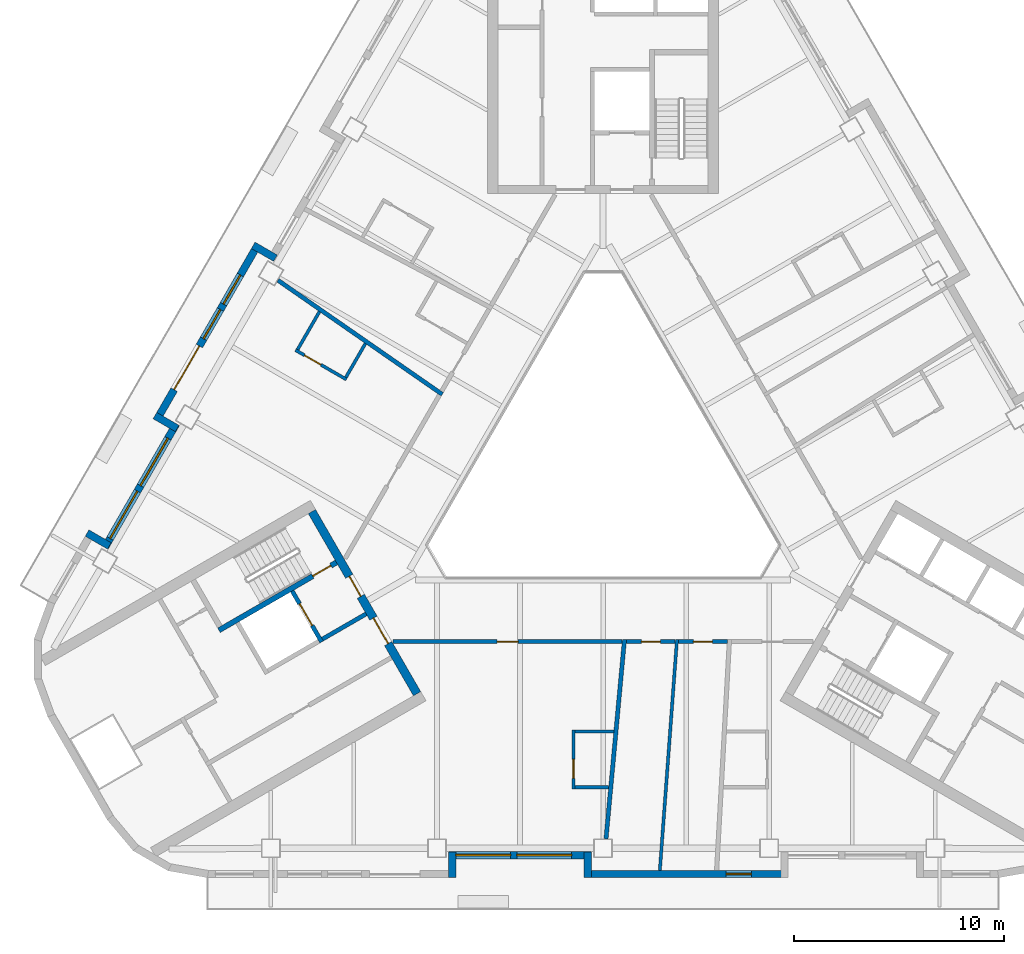
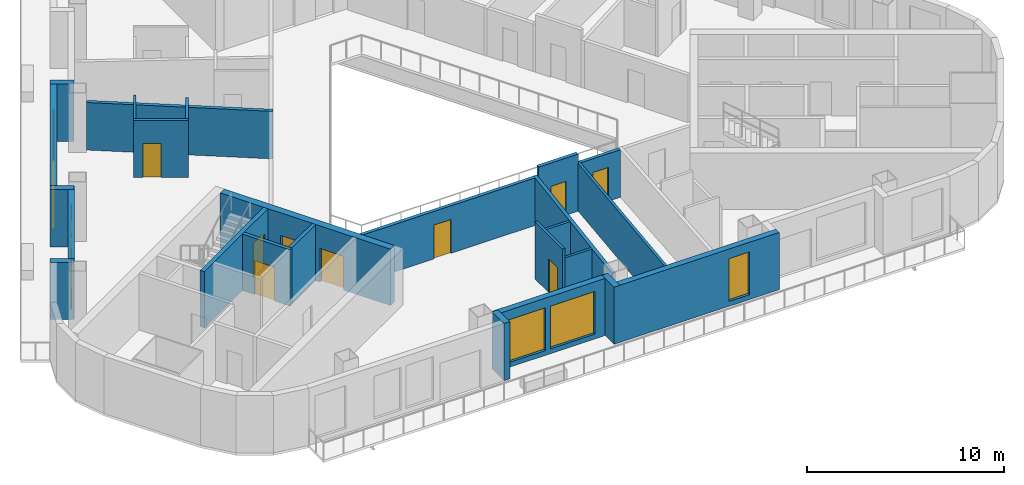
# One storey, part 3 of 13: 25 walls, 10 doors, 7 windows, 17 openings.
"""IFC4 building model written with IfcOpenShell, lengths in metres."""

import ifcopenshell
import ifcopenshell.guid

model = None  # the IFC model being written
_history = None  # IfcOwnerHistory: only IFC2X3 demands one
_inside = {}  # id of a spatial element -> (the spatial element, [elements in it])
_under = {}  # id of a project, library or spatial element -> (it, [spatial elements below it])
_declared = {}  # id of a project -> (the project, [libraries it declares])
_typed = {}  # id of a type object -> (the type object, [elements of that type])
_made_of = {}  # id of a material, layer set ... -> (it, [elements and type objects made of it])


def new_model(schema):
    """Start an empty IFC model of exactly this schema.

    Asked for "IFC4X3", IfcOpenShell would pick the latest addendum, in which some entities
    have other attributes; the version numbers below select the first issue.
    IFC2X3 requires an IfcOwnerHistory on every rooted entity: one is made here for all.
    """
    global model, _history
    if schema == "IFC4X3":
        model = ifcopenshell.file(schema_version=(4, 3, 0, 0))
    else:
        model = ifcopenshell.file(schema=schema)
    _inside.clear()
    _under.clear()
    _declared.clear()
    _typed.clear()
    _made_of.clear()
    _history = None
    if model.schema == "IFC2X3":
        org = make("IfcOrganization", Name="unknown")
        user = make(
            "IfcPersonAndOrganization",
            ThePerson=make("IfcPerson", FamilyName="unknown"),
            TheOrganization=org,
        )
        app = make(
            "IfcApplication",
            ApplicationDeveloper=org,
            Version="unknown",
            ApplicationFullName="unknown",
            ApplicationIdentifier="unknown",
        )
        _history = make(
            "IfcOwnerHistory",
            OwningUser=user,
            OwningApplication=app,
            ChangeAction="ADDED",
            CreationDate=0,
        )
    return model


def make(cls, **values):
    """One entity of the class cls with the attributes given. An attribute that is None is left unset."""
    return model.create_entity(
        cls, **{name: value for name, value in values.items() if value is not None}
    )


def rooted(cls, **values):
    """An entity with a GlobalId (a new one), such as an element, a storey or a relation."""
    return make(cls, GlobalId=ifcopenshell.guid.new(), OwnerHistory=_history, **values)


def si_unit(unit_type, name, prefix=None):
    """IfcSIUnit, for example si_unit("LENGTHUNIT", "METRE", prefix="MILLI")."""
    return make("IfcSIUnit", UnitType=unit_type, Prefix=prefix, Name=name)


def assignment(units):
    """IfcUnitAssignment: the units of a project."""
    return None if units is None else make("IfcUnitAssignment", Units=units)


def point(xyz):
    """IfcCartesianPoint."""
    return None if xyz is None else make("IfcCartesianPoint", Coordinates=xyz)


def direction(xyz):
    """IfcDirection."""
    return None if xyz is None else make("IfcDirection", DirectionRatios=xyz)


def frame(location, z_axis=None, x_axis=None):
    """IfcAxis2Placement3D, a coordinate frame: its origin and axes. An axis left out is left unset."""
    return make(
        "IfcAxis2Placement3D",
        Location=point(location),
        Axis=direction(z_axis),
        RefDirection=direction(x_axis),
    )


def frame_2d(location, x_axis=None):
    """IfcAxis2Placement2D, a coordinate frame in the plane: its origin and x axis."""
    return make(
        "IfcAxis2Placement2D", Location=point(location), RefDirection=direction(x_axis)
    )


def origin():
    """The frame at (0, 0, 0) with its axes left unset."""
    return frame((0.0, 0.0, 0.0))


def place(relative_to, where):
    """IfcLocalPlacement: puts the frame where relative to a parent placement (None: the world)."""
    return make(
        "IfcLocalPlacement", PlacementRelTo=relative_to, RelativePlacement=where
    )


def context(
    kind, dimensions, precision=None, world=None, true_north=None, identifier=None
):
    """IfcGeometricRepresentationContext, for example the 3D "Model" context."""
    return make(
        "IfcGeometricRepresentationContext",
        ContextIdentifier=identifier,
        ContextType=kind,
        CoordinateSpaceDimension=dimensions,
        Precision=precision,
        WorldCoordinateSystem=world,
        TrueNorth=true_north,
    )


def subcontext(parent, identifier, kind, view, scale=None):
    """IfcGeometricRepresentationSubContext, for example "Body" below "Model"."""
    return make(
        "IfcGeometricRepresentationSubContext",
        ContextIdentifier=identifier,
        ContextType=kind,
        ParentContext=parent,
        TargetScale=scale,
        TargetView=view,
    )


def project(units=None, contexts=None):
    """IfcProject with its units and contexts."""
    return rooted(
        "IfcProject",
        Name="project",
        RepresentationContexts=contexts,
        UnitsInContext=assignment(units),
    )


def spatial(cls, under=None, at=None, **own):
    """A site, building, storey or space (cls), placed at a placement, below another one or the project."""
    s = rooted(cls, ObjectPlacement=at, **own)
    if under is not None:
        _under.setdefault(under.id(), (under, []))[1].append(s)
    return s


def profile(cls, at=None, kind="AREA", **sizes):
    """A parametric profile (cls). Its sizes go by their IFC names, for example OverallWidth=200.0."""
    return make(cls, ProfileType=kind, Position=at, **sizes)


def rectangle(**sizes):
    """IfcRectangleProfileDef."""
    return profile("IfcRectangleProfileDef", **sizes)


def extrude(swept, where, along, depth):
    """IfcExtrudedAreaSolid: the profile swept, set in the frame where, extruded along a direction by depth."""
    return make(
        "IfcExtrudedAreaSolid",
        SweptArea=swept,
        Position=where,
        ExtrudedDirection=direction(along),
        Depth=depth,
    )


def shape(context_of_items, identifier, shape_type, items):
    """IfcShapeRepresentation: the items that make up one representation, for example the "Body"."""
    return make(
        "IfcShapeRepresentation",
        ContextOfItems=context_of_items,
        RepresentationIdentifier=identifier,
        RepresentationType=shape_type,
        Items=items,
    )


def material(Name=None, Category=None):
    """IfcMaterial."""
    return make("IfcMaterial", Name=Name, Category=Category)


def layer(
    of_material, thickness, ventilated=None, Name=None, Category=None, Priority=None
):
    """IfcMaterialLayer: one layer of a wall or slab, of a material (None: an air gap)."""
    return make(
        "IfcMaterialLayer",
        Material=of_material,
        LayerThickness=thickness,
        IsVentilated=ventilated,
        Name=Name,
        Category=Category,
        Priority=Priority,
    )


def layer_set(layers, Name=None):
    """IfcMaterialLayerSet."""
    return make("IfcMaterialLayerSet", MaterialLayers=layers, LayerSetName=Name)


def made_of(thing, what):
    """Note that an element or type object is made of a material, layer set ...; save() writes the relation."""
    if what is not None:
        _made_of.setdefault(what.id(), (what, []))[1].append(thing)
    return thing


def type_object(cls, material=None, **own):
    """A type object (cls), such as IfcWallType, which elements share."""
    return made_of(rooted(cls, **own), material)


def element(
    cls,
    number,
    at=None,
    inside=None,
    cuts=None,
    type_object=None,
    material=None,
    context=None,
    identifier="Body",
    shape_type=None,
    held_by="IfcProductDefinitionShape",
    body=None,
    shapes=None,
    **own,
):
    """One element of the class cls, such as IfcWall. Its Tag is "e" and its number.

    at: its placement. inside: the storey or other place that contains it. cuts: it is an
    opening in that element (IfcRelVoidsElement). A single representation is given by context,
    identifier, shape_type and body (its items); several are given by shapes. held_by: the class
    of the entity that holds the representations. save() writes the other relations.
    """
    e = rooted(cls, Tag="e%d" % number, ObjectPlacement=at, **own)
    if body is not None:
        shapes = [shape(context, identifier, shape_type, body)]
    if shapes is not None:
        e.Representation = make(held_by, Representations=shapes)
    if inside is not None:
        _inside.setdefault(inside.id(), (inside, []))[1].append(e)
    if cuts is not None:
        rooted(
            "IfcRelVoidsElement", RelatingBuildingElement=cuts, RelatedOpeningElement=e
        )
    if type_object is not None:
        _typed.setdefault(type_object.id(), (type_object, []))[1].append(e)
    return made_of(e, material)


def fill(opening, filler):
    """IfcRelFillsElement: the door or window that sits in an opening."""
    return rooted(
        "IfcRelFillsElement",
        RelatingOpeningElement=opening,
        RelatedBuildingElement=filler,
    )


def aggregate(whole, parts):
    """IfcRelAggregates: a whole, such as a stair, and the parts it consists of."""
    return rooted("IfcRelAggregates", RelatingObject=whole, RelatedObjects=parts)


def save(model, path):
    """Write the relations noted so far, then the file.

    IfcRelAggregates (storeys below a building ...), IfcRelContainedInSpatialStructure (elements
    in a storey), IfcRelDefinesByType, IfcRelAssociatesMaterial and IfcRelDeclares: one each for
    every whole, place, type object, material and project.
    """
    for whole, parts in _under.values():
        aggregate(whole, parts)
    for where, things in _inside.values():
        rooted(
            "IfcRelContainedInSpatialStructure",
            RelatedElements=things,
            RelatingStructure=where,
        )
    for kind, things in _typed.values():
        rooted("IfcRelDefinesByType", RelatedObjects=things, RelatingType=kind)
    for what, things in _made_of.values():
        rooted("IfcRelAssociatesMaterial", RelatedObjects=things, RelatingMaterial=what)
    for by, libraries in _declared.values():
        rooted("IfcRelDeclares", RelatingContext=by, RelatedDefinitions=libraries)
    model.write(path)


model = new_model("IFC4")

# Units and contexts
model_context = context("Model", 3, precision=1e-05, world=origin(), true_north=direction((0.0, 1.0)))
body_context = subcontext(model_context, "Body", "Model", "MODEL_VIEW")
ifc_project = project(units=[si_unit("LENGTHUNIT", "METRE"), si_unit("AREAUNIT", "SQUARE_METRE"), si_unit("VOLUMEUNIT", "CUBIC_METRE"), si_unit("PLANEANGLEUNIT", "RADIAN"), si_unit("MASSUNIT", "GRAM", prefix="KILO")], contexts=[model_context])

# Site, building, storey
site_placement = place(None, origin())
site = spatial("IfcSite", under=ifc_project, at=site_placement, CompositionType="ELEMENT")
building_placement = place(site_placement, origin())
building = spatial("IfcBuilding", under=site, at=building_placement, Name="Apuvela Tower Hotel", CompositionType="ELEMENT")
storey_placement = place(building_placement, frame((0.0, 0.0, 124.199951171875)))
storey = spatial("IfcBuildingStorey", under=building, at=storey_placement, Name="L29", CompositionType="ELEMENT", Elevation=124.199951171875)

# Wall, openings, doors
ifc_material_1 = material(Name="Concrete C50/60", Category="concrete")
ifc_layer_1 = layer(ifc_material_1, 0.39990234375)
ifc_layer_set_1 = layer_set([ifc_layer_1], Name="COR-WALL-CORE-400")
wall_type_1 = type_object("IfcWallType", Name="COR-WALL-CORE-400", PredefinedType="SHEAR", material=ifc_layer_set_1)
wall_1_placement = place(storey_placement, frame((-13.844970703125, -2.219970703125, 0.0), z_axis=(0.0, 0.0, 1.0), x_axis=(0.500004234368, -0.866022959057, 0.0)))
wall_1 = element("IfcWall", 1, at=wall_1_placement, inside=storey, type_object=wall_type_1, Name="Core wall SW", PredefinedType="SHEAR", context=body_context, shape_type="SweptSolid", body=[
    extrude(rectangle(XDim=10.0, YDim=0.39990234375, at=frame_2d((5.0, 0.0))), origin(), (0.0, 0.0, 1.0), 3.5),
])
opening_1_placement = place(wall_1_placement, frame((3.550048828125, 0.0, 0.0)))
opening_1 = element("IfcOpeningElement", 2, at=opening_1_placement, cuts=wall_1, Name="Opening W-FD", PredefinedType="OPENING", context=body_context, shape_type="SweptSolid", body=[
    extrude(rectangle(XDim=1.10009765625, YDim=2.10009765625, at=frame_2d((0.550048828125, 1.050048828125))), frame((0.0, 0.2099609375, 0.0), z_axis=(0.0, -1.0, 0.0), x_axis=(1.0, 0.0, 0.0)), (0.0, 0.0, 1.0), 0.419921875),
])
opening_2_placement = place(wall_1_placement, frame((5.85009765625, 0.0, 0.0)))
opening_2 = element("IfcOpeningElement", 3, at=opening_2_placement, cuts=wall_1, Name="Opening W-GD", PredefinedType="OPENING", context=body_context, shape_type="SweptSolid", body=[
    extrude(rectangle(XDim=1.39990234375, YDim=2.10009765625, at=frame_2d((0.699951171875, 1.050048828125))), frame((0.0, 0.2099609375, 0.0), z_axis=(0.0, -1.0, 0.0), x_axis=(1.0, 0.0, 0.0)), (0.0, 0.0, 1.0), 0.419921875),
])
ifc_material_2 = material(Name="Steel fire door, powder coated", Category="steel")
door_type_1 = type_object("IfcDoorType", Name="COR-FD-1100", OperationType="NOTDEFINED", PredefinedType="DOOR", material=ifc_material_2)
door_1_placement = place(opening_1_placement, frame((1.10009765625, 0.0, 0.0), z_axis=(0.0, 0.0, 1.0), x_axis=(-1.0, 0.0, 0.0)))
door_1 = element("IfcDoor", 4, at=door_1_placement, inside=storey, type_object=door_type_1, Name="Firefighting lobby door W-FD", OperationType="SINGLE_SWING_LEFT", OverallHeight=2.10009765625, OverallWidth=1.10009765625, PredefinedType="DOOR", context=body_context, shape_type="SweptSolid", body=[
    extrude(rectangle(XDim=1.10009765625, YDim=2.10009765625, at=frame_2d((0.550048828125, 1.050048828125))), frame((0.0, 0.02490234375, 0.0), z_axis=(0.0, -1.0, 0.0), x_axis=(1.0, 0.0, 0.0)), (0.0, 0.0, 1.0), 0.050048828125),
])
fill(opening_1, door_1)
ifc_material_3 = material(Name="Glazed steel fire door", Category="steel")
door_type_2 = type_object("IfcDoorType", Name="COR-GD-1400", OperationType="DOUBLE_DOOR_SINGLE_SWING", PredefinedType="DOOR", material=ifc_material_3)
door_2_placement = place(opening_2_placement, frame((1.39990234375, 0.0, 0.0), z_axis=(0.0, 0.0, 1.0), x_axis=(-1.0, 0.0, 0.0)))
door_2 = element("IfcDoor", 5, at=door_2_placement, inside=storey, type_object=door_type_2, Name="Lift lobby door W-GD", OperationType="DOUBLE_DOOR_SINGLE_SWING", OverallHeight=2.10009765625, OverallWidth=1.39990234375, PredefinedType="DOOR", context=body_context, shape_type="SweptSolid", body=[
    extrude(rectangle(XDim=1.39990234375, YDim=2.10009765625, at=frame_2d((0.699951171875, 1.050048828125))), frame((0.0, 0.02490234375, 0.0), z_axis=(0.0, -1.0, 0.0), x_axis=(1.0, 0.0, 0.0)), (0.0, 0.0, 1.0), 0.050048828125),
])
fill(opening_2, door_2)

# Wall, opening, door
ifc_layer_2 = layer(ifc_material_1, 0.199951171875)
ifc_layer_set_2 = layer_set([ifc_layer_2], Name="COR-WALL-SHAFT-200")
wall_type_2 = type_object("IfcWallType", Name="COR-WALL-SHAFT-200", PredefinedType="SHEAR", material=ifc_layer_set_2)
wall_2_placement = place(storey_placement, frame((-14.783203125, -5.99462890625, 0.0), z_axis=(0.0, 0.0, 1.0), x_axis=(0.49994636267, -0.866056369097, 0.0)))
wall_2 = element("IfcWall", 6, at=wall_2_placement, inside=storey, type_object=wall_type_2, Name="Shaft wall SW", PredefinedType="SHEAR", context=body_context, shape_type="SweptSolid", body=[
    extrude(rectangle(XDim=2.800048828125, YDim=0.199951171875, at=frame_2d((1.39990234375, 0.0))), origin(), (0.0, 0.0, 1.0), 3.5),
])
opening_3_placement = place(wall_2_placement, frame((0.699951171875, 0.0, 0.0)))
opening_3 = element("IfcOpeningElement", 7, at=opening_3_placement, cuts=wall_2, Name="Opening W-LD-FS2", PredefinedType="OPENING", context=body_context, shape_type="SweptSolid", body=[
    extrude(rectangle(XDim=1.199951171875, YDim=2.10009765625, at=frame_2d((0.60009765625, 1.050048828125))), frame((0.0, 0.10986328125, 0.0), z_axis=(0.0, -1.0, 0.0), x_axis=(1.0, 0.0, 0.0)), (0.0, 0.0, 1.0), 0.219970703125),
])
ifc_material_4 = material(Name="Stainless steel lift landing door", Category="steel")
door_type_3 = type_object("IfcDoorType", Name="COR-LD-1200", OperationType="DOUBLE_DOOR_SLIDING", PredefinedType="DOOR", material=ifc_material_4)
door_3_placement = place(opening_3_placement, origin())
door_3 = element("IfcDoor", 8, at=door_3_placement, inside=storey, type_object=door_type_3, Name="Lift landing door W-LD-FS2", OperationType="DOUBLE_DOOR_SLIDING", OverallHeight=2.10009765625, OverallWidth=1.199951171875, PredefinedType="DOOR", context=body_context, shape_type="SweptSolid", body=[
    extrude(rectangle(XDim=1.199951171875, YDim=2.10009765625, at=frame_2d((0.60009765625, 1.050048828125))), frame((0.0, 0.02490234375, 0.0), z_axis=(0.0, -1.0, 0.0), x_axis=(1.0, 0.0, 0.0)), (0.0, 0.0, 1.0), 0.050048828125),
])
fill(opening_3, door_3)

# Wall
wall_3_placement = place(storey_placement, frame((-11.26806640625, -7.0830078125, 0.0), z_axis=(0.0, 0.0, 1.0), x_axis=(-0.866050077142, -0.499957262057, 0.0)))
element("IfcWall", 9, at=wall_3_placement, inside=storey, type_object=wall_type_2, Name="Shaft wall SW", PredefinedType="SHEAR", context=body_context, shape_type="SweptSolid", body=[
    extrude(rectangle(XDim=2.400146484375, YDim=0.199951171875, at=frame_2d((1.2001953125, 0.0))), origin(), (0.0, 0.0, 1.0), 3.5),
])

# Wall, opening, door
ifc_layer_3 = layer(ifc_material_1, 0.25)
ifc_layer_set_3 = layer_set([ifc_layer_3], Name="COR-WALL-STAIR-250")
wall_type_3 = type_object("IfcWallType", Name="COR-WALL-STAIR-250", PredefinedType="SHEAR", material=ifc_layer_set_3)
wall_4_placement = place(storey_placement, frame((-12.6806640625, -4.636474609375, 0.0), z_axis=(0.0, 0.0, 1.0), x_axis=(-0.866021702275, -0.500006411147, 0.0)))
wall_4 = element("IfcWall", 10, at=wall_4_placement, inside=storey, type_object=wall_type_3, Name="Stair wall SW", PredefinedType="SHEAR", context=body_context, shape_type="SweptSolid", body=[
    extrude(rectangle(XDim=6.4501953125, YDim=0.25, at=frame_2d((3.22509765625, 0.0))), origin(), (0.0, 0.0, 1.0), 3.5),
])
opening_4_placement = place(wall_4_placement, frame((0.300048828125, 0.0, 0.0)))
opening_4 = element("IfcOpeningElement", 11, at=opening_4_placement, cuts=wall_4, Name="Opening W-SD", PredefinedType="OPENING", context=body_context, shape_type="SweptSolid", body=[
    extrude(rectangle(XDim=1.0, YDim=2.10009765625, at=frame_2d((0.5, 1.050048828125))), frame((0.0, 0.135009765625, 0.0), z_axis=(0.0, -1.0, 0.0), x_axis=(1.0, 0.0, 0.0)), (0.0, 0.0, 1.0), 0.27001953125),
])
door_type_4 = type_object("IfcDoorType", Name="COR-SD-1000", OperationType="NOTDEFINED", PredefinedType="DOOR", material=ifc_material_2)
door_4_placement = place(opening_4_placement, frame((1.0, 0.0, 0.0), z_axis=(0.0, 0.0, 1.0), x_axis=(-1.0, 0.0, 0.0)))
door_4 = element("IfcDoor", 12, at=door_4_placement, inside=storey, type_object=door_type_4, Name="Stair door W-SD", OperationType="SINGLE_SWING_LEFT", OverallHeight=2.10009765625, OverallWidth=1.0, PredefinedType="DOOR", context=body_context, shape_type="SweptSolid", body=[
    extrude(rectangle(XDim=1.0, YDim=2.10009765625, at=frame_2d((0.5, 1.050048828125))), frame((0.0, 0.02490234375, 0.0), z_axis=(0.0, -1.0, 0.0), x_axis=(1.0, 0.0, 0.0)), (0.0, 0.0, 1.0), 0.050048828125),
])
fill(opening_4, door_4)

# Wall
ifc_material_5 = material(Name="Concrete C40/50, dark pigmented precast panel", Category="concrete")
ifc_layer_4 = layer(ifc_material_5, 0.35009765625)
ifc_layer_set_4 = layer_set([ifc_layer_4], Name="ENV-WALL-350")
wall_type_4 = type_object("IfcWallType", Name="ENV-WALL-350", PredefinedType="SOLIDWALL", material=ifc_layer_set_4)
wall_5_placement = place(storey_placement, frame((-15.580810546875, 9.8330078125, 0.0), z_axis=(0.0, 0.0, 1.0), x_axis=(-0.866055662726, 0.499947586314, 0.0)))
element("IfcWall", 13, at=wall_5_placement, inside=storey, type_object=wall_type_4, Name="External wall L29-04", PredefinedType="SOLIDWALL", context=body_context, shape_type="SweptSolid", body=[
    extrude(rectangle(XDim=1.220458984375, YDim=0.35009765625, at=frame_2d((0.6103515625, 0.0))), origin(), (0.0, 0.0, 1.0), 3.550048828125),
])

# Wall, openings, door, windows
wall_6_placement = place(storey_placement, frame((-16.3984375, 10.507080078125, 0.0), z_axis=(0.0, 0.0, 1.0), x_axis=(-0.499999142773, -0.866025898704, 0.0)))
wall_6 = element("IfcWall", 14, at=wall_6_placement, inside=storey, type_object=wall_type_4, Name="External wall L29-05", PredefinedType="SOLIDWALL", context=body_context, shape_type="SweptSolid", body=[
    extrude(rectangle(XDim=9.7001953125, YDim=0.35009765625, at=frame_2d((4.85009765625, 0.0))), origin(), (0.0, 0.0, 1.0), 3.550048828125),
])
opening_5_placement = place(wall_6_placement, frame((5.599853515625, 0.0, 0.0)))
opening_5 = element("IfcOpeningElement", 15, at=opening_5_placement, cuts=wall_6, Name="Opening BD24", PredefinedType="OPENING", context=body_context, shape_type="SweptSolid", body=[
    extrude(rectangle(XDim=2.39990234375, YDim=2.39990234375, at=frame_2d((1.199951171875, 1.199951171875))), frame((0.0, 0.18505859375, 0.0), z_axis=(0.0, -1.0, 0.0), x_axis=(1.0, 0.0, 0.0)), (0.0, 0.0, 1.0), 0.3701171875),
])
opening_6_placement = place(wall_6_placement, frame((1.7001953125, 0.0, 0.300048828125)))
opening_6 = element("IfcOpeningElement", 16, at=opening_6_placement, cuts=wall_6, Name="Opening WN16", PredefinedType="OPENING", context=body_context, shape_type="SweptSolid", body=[
    extrude(rectangle(XDim=1.60009765625, YDim=2.64990234375, at=frame_2d((0.800048828125, 1.324951171875))), frame((0.0, 0.18505859375, 0.0), z_axis=(0.0, -1.0, 0.0), x_axis=(1.0, 0.0, 0.0)), (0.0, 0.0, 1.0), 0.3701171875),
])
opening_7_placement = place(wall_6_placement, frame((3.600341796875, 0.0, 0.300048828125)))
opening_7 = element("IfcOpeningElement", 17, at=opening_7_placement, cuts=wall_6, Name="Opening WN16", PredefinedType="OPENING", context=body_context, shape_type="SweptSolid", body=[
    extrude(rectangle(XDim=1.60009765625, YDim=2.64990234375, at=frame_2d((0.800048828125, 1.324951171875))), frame((0.0, 0.18505859375, 0.0), z_axis=(0.0, -1.0, 0.0), x_axis=(1.0, 0.0, 0.0)), (0.0, 0.0, 1.0), 0.3701171875),
])
ifc_material_6 = material(Name="Aluminium 6063-T6, dark bronze anodised frame with dark tinted laminated glass", Category="aluminium")
door_type_5 = type_object("IfcDoorType", Name="ENV-DOOR-BALCONY-2400x2400", OperationType="SLIDING_TO_LEFT", PredefinedType="DOOR", material=ifc_material_6)
door_5_placement = place(opening_5_placement, frame((2.39990234375, 0.0, 0.0), z_axis=(0.0, 0.0, 1.0), x_axis=(-1.0, 0.0, 0.0)))
door_5 = element("IfcDoor", 18, at=door_5_placement, inside=storey, type_object=door_type_5, Name="Balcony door BD24", OperationType="SLIDING_TO_LEFT", OverallHeight=2.39990234375, OverallWidth=2.39990234375, PredefinedType="DOOR", context=body_context, shape_type="SweptSolid", body=[
    extrude(rectangle(XDim=2.39990234375, YDim=2.39990234375, at=frame_2d((1.199951171875, 1.199951171875))), frame((0.0, 0.02490234375, 0.0), z_axis=(0.0, -1.0, 0.0), x_axis=(1.0, 0.0, 0.0)), (0.0, 0.0, 1.0), 0.050048828125),
])
fill(opening_5, door_5)
ifc_material_7 = material(Name="Glass, dark tinted laminated insulated glazing unit", Category="glass")
window_type_1 = type_object("IfcWindowType", Name="ENV-WIN-1600x2650", PartitioningType="SINGLE_PANEL", PredefinedType="WINDOW", material=ifc_material_7)
window_1_placement = place(opening_6_placement, origin())
window_1 = element("IfcWindow", 19, at=window_1_placement, inside=storey, type_object=window_type_1, Name="Window WN16", OverallHeight=2.64990234375, OverallWidth=1.60009765625, PartitioningType="SINGLE_PANEL", PredefinedType="WINDOW", context=body_context, shape_type="SweptSolid", body=[
    extrude(rectangle(XDim=1.60009765625, YDim=2.64990234375, at=frame_2d((0.800048828125, 1.324951171875))), frame((0.0, 0.030029296875, 0.0), z_axis=(0.0, -1.0, 0.0), x_axis=(1.0, 0.0, 0.0)), (0.0, 0.0, 1.0), 0.06005859375),
])
fill(opening_6, window_1)
window_2_placement = place(opening_7_placement, origin())
window_2 = element("IfcWindow", 20, at=window_2_placement, inside=storey, type_object=window_type_1, Name="Window WN16", OverallHeight=2.64990234375, OverallWidth=1.60009765625, PartitioningType="SINGLE_PANEL", PredefinedType="WINDOW", context=body_context, shape_type="SweptSolid", body=[
    extrude(rectangle(XDim=1.60009765625, YDim=2.64990234375, at=frame_2d((0.800048828125, 1.324951171875))), frame((0.0, 0.030029296875, 0.0), z_axis=(0.0, -1.0, 0.0), x_axis=(1.0, 0.0, 0.0)), (0.0, 0.0, 1.0), 0.06005859375),
])
fill(opening_7, window_2)

# Wall
wall_7_placement = place(storey_placement, frame((-21.3125, 2.345703125, 0.0), z_axis=(0.0, 0.0, 1.0), x_axis=(0.866005645448, -0.500034220881, 0.0)))
element("IfcWall", 21, at=wall_7_placement, inside=storey, type_object=wall_type_4, Name="External wall L29-06", PredefinedType="SOLIDWALL", context=body_context, shape_type="SweptSolid", body=[
    extrude(rectangle(XDim=1.22021484375, YDim=0.35009765625, at=frame_2d((0.610107421875, 0.0))), origin(), (0.0, 0.0, 1.0), 3.550048828125),
])

# Wall, openings, windows
wall_8_placement = place(storey_placement, frame((-20.30908203125, 1.93359375, 0.0), z_axis=(0.0, 0.0, 1.0), x_axis=(-0.499992114976, -0.866029956157, 0.0)))
wall_8 = element("IfcWall", 22, at=wall_8_placement, inside=storey, type_object=wall_type_4, Name="External wall L29-07", PredefinedType="SOLIDWALL", context=body_context, shape_type="SweptSolid", body=[
    extrude(rectangle(XDim=6.73974609375, YDim=0.35009765625, at=frame_2d((3.369873046875, 0.0))), origin(), (0.0, 0.0, 1.0), 3.550048828125),
])
opening_8_placement = place(wall_8_placement, frame((0.77001953125, 0.0, 0.300048828125)))
opening_8 = element("IfcOpeningElement", 23, at=opening_8_placement, cuts=wall_8, Name="Opening WN26", PredefinedType="OPENING", context=body_context, shape_type="SweptSolid", body=[
    extrude(rectangle(XDim=2.60009765625, YDim=2.64990234375, at=frame_2d((1.300048828125, 1.324951171875))), frame((0.0, 0.18505859375, 0.0), z_axis=(0.0, -1.0, 0.0), x_axis=(1.0, 0.0, 0.0)), (0.0, 0.0, 1.0), 0.3701171875),
])
opening_9_placement = place(wall_8_placement, frame((3.670166015625, 0.0, 0.300048828125)))
opening_9 = element("IfcOpeningElement", 24, at=opening_9_placement, cuts=wall_8, Name="Opening WN26", PredefinedType="OPENING", context=body_context, shape_type="SweptSolid", body=[
    extrude(rectangle(XDim=2.60009765625, YDim=2.64990234375, at=frame_2d((1.300048828125, 1.324951171875))), frame((0.0, 0.18505859375, 0.0), z_axis=(0.0, -1.0, 0.0), x_axis=(1.0, 0.0, 0.0)), (0.0, 0.0, 1.0), 0.3701171875),
])
window_type_2 = type_object("IfcWindowType", Name="ENV-WIN-2600x2650", PartitioningType="SINGLE_PANEL", PredefinedType="WINDOW", material=ifc_material_7)
window_3_placement = place(opening_8_placement, origin())
window_3 = element("IfcWindow", 25, at=window_3_placement, inside=storey, type_object=window_type_2, Name="Window WN26", OverallHeight=2.64990234375, OverallWidth=2.60009765625, PartitioningType="SINGLE_PANEL", PredefinedType="WINDOW", context=body_context, shape_type="SweptSolid", body=[
    extrude(rectangle(XDim=2.60009765625, YDim=2.64990234375, at=frame_2d((1.300048828125, 1.324951171875))), frame((0.0, 0.030029296875, 0.0), z_axis=(0.0, -1.0, 0.0), x_axis=(1.0, 0.0, 0.0)), (0.0, 0.0, 1.0), 0.06005859375),
])
fill(opening_8, window_3)
window_4_placement = place(opening_9_placement, origin())
window_4 = element("IfcWindow", 26, at=window_4_placement, inside=storey, type_object=window_type_2, Name="Window WN26", OverallHeight=2.64990234375, OverallWidth=2.60009765625, PartitioningType="SINGLE_PANEL", PredefinedType="WINDOW", context=body_context, shape_type="SweptSolid", body=[
    extrude(rectangle(XDim=2.60009765625, YDim=2.64990234375, at=frame_2d((1.300048828125, 1.324951171875))), frame((0.0, 0.030029296875, 0.0), z_axis=(0.0, -1.0, 0.0), x_axis=(1.0, 0.0, 0.0)), (0.0, 0.0, 1.0), 0.06005859375),
])
fill(opening_9, window_4)

# Walls
for number, where, z_axis, x_axis, name in (
    (27, (-23.48095703125, -3.85009765625, 0.0), (0.0, 0.0, 1.0), (-0.866092288191, 0.499884134912, 0.0), "External wall L29-08"),
    (28, (-7.175048828125, -19.6298828125, 0.0), (0.0, 0.0, 1.0), (0.0, 1.0, 0.0), "External wall L29-18"),
):
    element("IfcWall", number, at=place(storey_placement, frame(where, z_axis=z_axis, x_axis=x_axis)), inside=storey, type_object=wall_type_4, Name=name, PredefinedType="SOLIDWALL", context=body_context, shape_type="SweptSolid", body=[
        extrude(rectangle(XDim=1.219970703125, YDim=0.35009765625, at=frame_2d((0.60986328125, 0.0))), origin(), (0.0, 0.0, 1.0), 3.550048828125),
    ])

# Wall, openings, windows
wall_9_placement = place(storey_placement, frame((-7.320068359375, -18.554931640625, 0.0), z_axis=(0.0, 0.0, 1.0), x_axis=(1.0, 0.0, 0.0)))
wall_9 = element("IfcWall", 29, at=wall_9_placement, inside=storey, type_object=wall_type_4, Name="External wall L29-19", PredefinedType="SOLIDWALL", context=body_context, shape_type="SweptSolid", body=[
    extrude(rectangle(XDim=6.739990234375, YDim=0.35009765625, at=frame_2d((3.3701171875, 0.0))), origin(), (0.0, 0.0, 1.0), 3.550048828125),
])
opening_10_placement = place(wall_9_placement, frame((0.3203125, 0.0, 0.300048828125)))
opening_10 = element("IfcOpeningElement", 30, at=opening_10_placement, cuts=wall_9, Name="Opening WN26", PredefinedType="OPENING", context=body_context, shape_type="SweptSolid", body=[
    extrude(rectangle(XDim=2.60009765625, YDim=2.64990234375, at=frame_2d((1.300048828125, 1.324951171875))), frame((0.0, 0.18505859375, 0.0), z_axis=(0.0, -1.0, 0.0), x_axis=(1.0, 0.0, 0.0)), (0.0, 0.0, 1.0), 0.3701171875),
])
opening_11_placement = place(wall_9_placement, frame((3.220458984375, 0.0, 0.300048828125)))
opening_11 = element("IfcOpeningElement", 31, at=opening_11_placement, cuts=wall_9, Name="Opening WN26", PredefinedType="OPENING", context=body_context, shape_type="SweptSolid", body=[
    extrude(rectangle(XDim=2.60009765625, YDim=2.64990234375, at=frame_2d((1.300048828125, 1.324951171875))), frame((0.0, 0.18505859375, 0.0), z_axis=(0.0, -1.0, 0.0), x_axis=(1.0, 0.0, 0.0)), (0.0, 0.0, 1.0), 0.3701171875),
])
window_5_placement = place(opening_10_placement, origin())
window_5 = element("IfcWindow", 32, at=window_5_placement, inside=storey, type_object=window_type_2, Name="Window WN26", OverallHeight=2.64990234375, OverallWidth=2.60009765625, PartitioningType="SINGLE_PANEL", PredefinedType="WINDOW", context=body_context, shape_type="SweptSolid", body=[
    extrude(rectangle(XDim=2.60009765625, YDim=2.64990234375, at=frame_2d((1.300048828125, 1.324951171875))), frame((0.0, 0.030029296875, 0.0), z_axis=(0.0, -1.0, 0.0), x_axis=(1.0, 0.0, 0.0)), (0.0, 0.0, 1.0), 0.06005859375),
])
fill(opening_10, window_5)
window_6_placement = place(opening_11_placement, origin())
window_6 = element("IfcWindow", 33, at=window_6_placement, inside=storey, type_object=window_type_2, Name="Window WN26", OverallHeight=2.64990234375, OverallWidth=2.60009765625, PartitioningType="SINGLE_PANEL", PredefinedType="WINDOW", context=body_context, shape_type="SweptSolid", body=[
    extrude(rectangle(XDim=2.60009765625, YDim=2.64990234375, at=frame_2d((1.300048828125, 1.324951171875))), frame((0.0, 0.030029296875, 0.0), z_axis=(0.0, -1.0, 0.0), x_axis=(1.0, 0.0, 0.0)), (0.0, 0.0, 1.0), 0.06005859375),
])
fill(opening_11, window_6)

# Wall
wall_10_placement = place(storey_placement, frame((-0.72509765625, -18.409912109375, 0.0), z_axis=(0.0, 0.0, 1.0), x_axis=(0.0, -1.0, 0.0)))
element("IfcWall", 34, at=wall_10_placement, inside=storey, type_object=wall_type_4, Name="External wall L29-20", PredefinedType="SOLIDWALL", context=body_context, shape_type="SweptSolid", body=[
    extrude(rectangle(XDim=1.219970703125, YDim=0.35009765625, at=frame_2d((0.60986328125, 0.0))), origin(), (0.0, 0.0, 1.0), 3.550048828125),
])

# Wall, opening, window
wall_11_placement = place(storey_placement, frame((-0.89990234375, -19.455078125, 0.0), z_axis=(0.0, 0.0, 1.0), x_axis=(1.0, 0.0, 0.0)))
wall_11 = element("IfcWall", 35, at=wall_11_placement, inside=storey, type_object=wall_type_4, Name="External wall L29-21", PredefinedType="SOLIDWALL", context=body_context, shape_type="SweptSolid", body=[
    extrude(rectangle(XDim=9.699951171875, YDim=0.35009765625, at=frame_2d((4.85009765625, 0.0))), origin(), (0.0, 0.0, 1.0), 3.550048828125),
])
opening_12_placement = place(wall_11_placement, frame((6.75, 0.0, 0.300048828125)))
opening_12 = element("IfcOpeningElement", 36, at=opening_12_placement, cuts=wall_11, Name="Opening WN12", PredefinedType="OPENING", context=body_context, shape_type="SweptSolid", body=[
    extrude(rectangle(XDim=1.199951171875, YDim=2.64990234375, at=frame_2d((0.60009765625, 1.324951171875))), frame((0.0, 0.18505859375, 0.0), z_axis=(0.0, -1.0, 0.0), x_axis=(1.0, 0.0, 0.0)), (0.0, 0.0, 1.0), 0.3701171875),
])
window_type_3 = type_object("IfcWindowType", Name="ENV-WIN-1200x2650", PartitioningType="SINGLE_PANEL", PredefinedType="WINDOW", material=ifc_material_7)
window_7_placement = place(opening_12_placement, origin())
window_7 = element("IfcWindow", 37, at=window_7_placement, inside=storey, type_object=window_type_3, Name="Window WN12", OverallHeight=2.64990234375, OverallWidth=1.199951171875, PartitioningType="SINGLE_PANEL", PredefinedType="WINDOW", context=body_context, shape_type="SweptSolid", body=[
    extrude(rectangle(XDim=1.199951171875, YDim=2.64990234375, at=frame_2d((0.60009765625, 1.324951171875))), frame((0.0, 0.030029296875, 0.0), z_axis=(0.0, -1.0, 0.0), x_axis=(1.0, 0.0, 0.0)), (0.0, 0.0, 1.0), 0.06005859375),
])
fill(opening_12, window_7)

# Walls
ifc_material_8 = material(Name="Gypsum board partition on twin steel stud", Category="steel")
ifc_layer_5 = layer(ifc_material_8, 0.199951171875)
ifc_layer_set_5 = layer_set([ifc_layer_5], Name="GST-PW1")
wall_type_5 = type_object("IfcWallType", Name="GST-PW1", PredefinedType="PARTITIONING", material=ifc_layer_set_5)
wall_12_placement = place(storey_placement, frame((0.13916015625, -17.780029296875, 0.0), z_axis=(0.0, 0.0, 1.0), x_axis=(0.092366768961, 0.995725052407, 0.0)))
element("IfcWall", 38, at=wall_12_placement, inside=storey, type_object=wall_type_5, Name="L29 partition 01", PredefinedType="PARTITIONING", context=body_context, shape_type="SweptSolid", body=[
    extrude(rectangle(XDim=9.520751953125, YDim=0.199951171875, at=frame_2d((4.76025390625, 0.0))), origin(), (0.0, 0.0, 1.0), 2.949951171875),
])
wall_13_placement = place(storey_placement, frame((-15.46044921875, 8.781494140625, 0.0), z_axis=(0.0, 0.0, 1.0), x_axis=(0.82142273434, -0.570319815113, 0.0)))
element("IfcWall", 39, at=wall_13_placement, inside=storey, type_object=wall_type_5, Name="L29 partition 06", PredefinedType="PARTITIONING", context=body_context, shape_type="SweptSolid", body=[
    extrude(rectangle(XDim=9.5126953125, YDim=0.199951171875, at=frame_2d((4.75634765625, 0.0))), origin(), (0.0, 0.0, 1.0), 2.949951171875),
])

# Wall, opening, door
ifc_material_9 = material(Name="Gypsum board corridor wall on twin steel stud, acoustic", Category="steel")
ifc_layer_6 = layer(ifc_material_9, 0.199951171875)
ifc_layer_set_6 = layer_set([ifc_layer_6], Name="GST-PW2")
wall_type_6 = type_object("IfcWallType", Name="GST-PW2", PredefinedType="PARTITIONING", material=ifc_layer_set_6)
wall_14_placement = place(storey_placement, frame((0.90869140625, -8.39990234375, 0.0), z_axis=(0.0, 0.0, 1.0), x_axis=(-1.0, 0.0, 0.0)))
wall_14 = element("IfcWall", 40, at=wall_14_placement, inside=storey, type_object=wall_type_6, Name="L29 partition 07", PredefinedType="PARTITIONING", context=body_context, shape_type="SweptSolid", body=[
    extrude(rectangle(XDim=10.89697265625, YDim=0.199951171875, at=frame_2d((5.448486328125, 0.0))), origin(), (0.0, 0.0, 1.0), 2.949951171875),
])
opening_13_placement = place(wall_14_placement, frame((4.948486328125, 0.0, 0.0)))
opening_13 = element("IfcOpeningElement", 41, at=opening_13_placement, cuts=wall_14, Name="Opening GD11-02", PredefinedType="OPENING", context=body_context, shape_type="SweptSolid", body=[
    extrude(rectangle(XDim=1.0, YDim=2.10009765625, at=frame_2d((0.5, 1.050048828125))), frame((0.0, 0.10986328125, 0.0), z_axis=(0.0, -1.0, 0.0), x_axis=(1.0, 0.0, 0.0)), (0.0, 0.0, 1.0), 0.219970703125),
])
ifc_material_10 = material(Name="Timber door leaf in steel frame", Category="steel")
door_type_6 = type_object("IfcDoorType", Name="GST-D1", OperationType="NOTDEFINED", PredefinedType="DOOR", material=ifc_material_10)
door_6_placement = place(opening_13_placement, origin())
door_6 = element("IfcDoor", 42, at=door_6_placement, inside=storey, type_object=door_type_6, Name="Door L29-02", OperationType="SINGLE_SWING_LEFT", OverallHeight=2.10009765625, OverallWidth=1.0, PredefinedType="DOOR", context=body_context, shape_type="SweptSolid", body=[
    extrude(rectangle(XDim=1.0, YDim=2.10009765625, at=frame_2d((0.5, 1.050048828125))), frame((0.0, 0.02490234375, 0.0), z_axis=(0.0, -1.0, 0.0), x_axis=(1.0, 0.0, 0.0)), (0.0, 0.0, 1.0), 0.050048828125),
])
fill(opening_13, door_6)

wall_15_placement = place(storey_placement, frame((3.432373046875, -8.39990234375, 0.0), z_axis=(0.0, 0.0, 1.0), x_axis=(-1.0, 0.0, 0.0)))
wall_15 = element("IfcWall", 43, at=wall_15_placement, inside=storey, type_object=wall_type_6, Name="L29 partition 12", PredefinedType="PARTITIONING", context=body_context, shape_type="SweptSolid", body=[
    extrude(rectangle(XDim=2.32275390625, YDim=0.199951171875, at=frame_2d((1.161376953125, 0.0))), origin(), (0.0, 0.0, 1.0), 3.550048828125),
])
opening_14_placement = place(wall_15_placement, frame((0.711181640625, 0.0, 0.0)))
opening_14 = element("IfcOpeningElement", 44, at=opening_14_placement, cuts=wall_15, Name="Opening GD11-03", PredefinedType="OPENING", context=body_context, shape_type="SweptSolid", body=[
    extrude(rectangle(XDim=0.89990234375, YDim=2.10009765625, at=frame_2d((0.449951171875, 1.050048828125))), frame((0.0, 0.10986328125, 0.0), z_axis=(0.0, -1.0, 0.0), x_axis=(1.0, 0.0, 0.0)), (0.0, 0.0, 1.0), 0.219970703125),
])
door_type_7 = type_object("IfcDoorType", Name="GST-D2", OperationType="NOTDEFINED", PredefinedType="DOOR", material=ifc_material_10)
door_7_placement = place(opening_14_placement, origin())
door_7 = element("IfcDoor", 45, at=door_7_placement, inside=storey, type_object=door_type_7, Name="Door L29-03", OperationType="SINGLE_SWING_LEFT", OverallHeight=2.10009765625, OverallWidth=0.89990234375, PredefinedType="DOOR", context=body_context, shape_type="SweptSolid", body=[
    extrude(rectangle(XDim=0.89990234375, YDim=2.10009765625, at=frame_2d((0.449951171875, 1.050048828125))), frame((0.0, 0.02490234375, 0.0), z_axis=(0.0, -1.0, 0.0), x_axis=(1.0, 0.0, 0.0)), (0.0, 0.0, 1.0), 0.050048828125),
])
fill(opening_14, door_7)

wall_16_placement = place(storey_placement, frame((5.905517578125, -8.39990234375, 0.0), z_axis=(0.0, 0.0, 1.0), x_axis=(-1.0, 0.0, 0.0)))
wall_16 = element("IfcWall", 46, at=wall_16_placement, inside=storey, type_object=wall_type_6, Name="L29 partition 13", PredefinedType="PARTITIONING", context=body_context, shape_type="SweptSolid", body=[
    extrude(rectangle(XDim=2.322998046875, YDim=0.199951171875, at=frame_2d((1.16162109375, 0.0))), origin(), (0.0, 0.0, 1.0), 2.949951171875),
])
opening_15_placement = place(wall_16_placement, frame((0.71142578125, 0.0, 0.0)))
opening_15 = element("IfcOpeningElement", 47, at=opening_15_placement, cuts=wall_16, Name="Opening GD11-04", PredefinedType="OPENING", context=body_context, shape_type="SweptSolid", body=[
    extrude(rectangle(XDim=0.89990234375, YDim=2.10009765625, at=frame_2d((0.449951171875, 1.050048828125))), frame((0.0, 0.10986328125, 0.0), z_axis=(0.0, -1.0, 0.0), x_axis=(1.0, 0.0, 0.0)), (0.0, 0.0, 1.0), 0.219970703125),
])
door_8_placement = place(opening_15_placement, origin())
door_8 = element("IfcDoor", 48, at=door_8_placement, inside=storey, type_object=door_type_7, Name="Door L29-04", OperationType="SINGLE_SWING_RIGHT", OverallHeight=2.10009765625, OverallWidth=0.89990234375, PredefinedType="DOOR", context=body_context, shape_type="SweptSolid", body=[
    extrude(rectangle(XDim=0.89990234375, YDim=2.10009765625, at=frame_2d((0.449951171875, 1.050048828125))), frame((0.0, 0.02490234375, 0.0), z_axis=(0.0, -1.0, 0.0), x_axis=(1.0, 0.0, 0.0)), (0.0, 0.0, 1.0), 0.050048828125),
])
fill(opening_15, door_8)

ifc_material_11 = material(Name="Moisture-resistant gypsum board wet wall on steel stud", Category="steel")
ifc_layer_7 = layer(ifc_material_11, 0.14990234375)
ifc_layer_set_7 = layer_set([ifc_layer_7], Name="GST-PW3")
wall_type_7 = type_object("IfcWallType", Name="GST-PW3", PredefinedType="PARTITIONING", material=ifc_layer_set_7)
wall_17_placement = place(storey_placement, frame((-1.40576171875, -12.60009765625, 0.0), z_axis=(0.0, 0.0, 1.0), x_axis=(0.0, -1.0, 0.0)))
wall_17 = element("IfcWall", 49, at=wall_17_placement, inside=storey, type_object=wall_type_7, Name="L29 partition 08", PredefinedType="PARTITIONING", context=body_context, shape_type="SweptSolid", body=[
    extrude(rectangle(XDim=2.7998046875, YDim=0.14990234375, at=frame_2d((1.39990234375, 0.0))), origin(), (0.0, 0.0, 1.0), 3.550048828125),
])
opening_16_placement = place(wall_17_placement, frame((1.39990234375, 0.0, 0.0)))
opening_16 = element("IfcOpeningElement", 50, at=opening_16_placement, cuts=wall_17, Name="Opening GD11-01", PredefinedType="OPENING", context=body_context, shape_type="SweptSolid", body=[
    extrude(rectangle(XDim=0.89990234375, YDim=2.10009765625, at=frame_2d((0.449951171875, 1.050048828125))), frame((0.0, 0.0849609375, 0.0), z_axis=(0.0, -1.0, 0.0), x_axis=(1.0, 0.0, 0.0)), (0.0, 0.0, 1.0), 0.169921875),
])
door_9_placement = place(opening_16_placement, origin())
door_9 = element("IfcDoor", 51, at=door_9_placement, inside=storey, type_object=door_type_7, Name="Door L29-01", OperationType="SINGLE_SWING_RIGHT", OverallHeight=2.10009765625, OverallWidth=0.89990234375, PredefinedType="DOOR", context=body_context, shape_type="SweptSolid", body=[
    extrude(rectangle(XDim=0.89990234375, YDim=2.10009765625, at=frame_2d((0.449951171875, 1.050048828125))), frame((0.0, 0.02490234375, 0.0), z_axis=(0.0, -1.0, 0.0), x_axis=(1.0, 0.0, 0.0)), (0.0, 0.0, 1.0), 0.050048828125),
])
fill(opening_16, door_9)

# Walls
wall_18_placement = place(storey_placement, frame((-1.330810546875, -15.324951171875, 0.0), z_axis=(0.0, 0.0, 1.0), x_axis=(1.0, 0.0, 0.0)))
element("IfcWall", 52, at=wall_18_placement, inside=storey, type_object=wall_type_7, Name="L29 partition 09", PredefinedType="PARTITIONING", context=body_context, shape_type="SweptSolid", body=[
    extrude(rectangle(XDim=1.597412109375, YDim=0.14990234375, at=frame_2d((0.798828125, 0.0))), origin(), (0.0, 0.0, 1.0), 2.949951171875),
])
wall_19_placement = place(storey_placement, frame((-1.330810546875, -12.675048828125, 0.0), z_axis=(0.0, 0.0, 1.0), x_axis=(1.0, 0.0, 0.0)))
element("IfcWall", 53, at=wall_19_placement, inside=storey, type_object=wall_type_7, Name="L29 partition 10", PredefinedType="PARTITIONING", context=body_context, shape_type="SweptSolid", body=[
    extrude(rectangle(XDim=1.843017578125, YDim=0.14990234375, at=frame_2d((0.92138671875, 0.0))), origin(), (0.0, 0.0, 1.0), 2.949951171875),
])
wall_20_placement = place(storey_placement, frame((2.699951171875, -19.280029296875, 0.0), z_axis=(0.0, 0.0, 1.0), x_axis=(0.074017071658, 0.997256974457, 0.0)))
element("IfcWall", 54, at=wall_20_placement, inside=storey, type_object=wall_type_7, Name="L29 partition 11", PredefinedType="PARTITIONING", context=body_context, shape_type="SweptSolid", body=[
    extrude(rectangle(XDim=11.01025390625, YDim=0.14990234375, at=frame_2d((5.505126953125, 0.0))), origin(), (0.0, 0.0, 1.0), 2.9599609375),
])

# Wall, opening, door
wall_21_placement = place(storey_placement, frame((-14.62841796875, 5.462890625, 0.0), z_axis=(0.0, 0.0, 1.0), x_axis=(0.866056369097, -0.49994636267, 0.0)))
wall_21 = element("IfcWall", 55, at=wall_21_placement, inside=storey, type_object=wall_type_7, Name="L29 partition 37", PredefinedType="PARTITIONING", context=body_context, shape_type="SweptSolid", body=[
    extrude(rectangle(XDim=2.800048828125, YDim=0.14990234375, at=frame_2d((1.39990234375, 0.0))), origin(), (0.0, 0.0, 1.0), 3.550048828125),
])
opening_17_placement = place(wall_21_placement, frame((0.5, 0.0, 0.0)))
opening_17 = element("IfcOpeningElement", 56, at=opening_17_placement, cuts=wall_21, Name="Opening GD11-17", PredefinedType="OPENING", context=body_context, shape_type="SweptSolid", body=[
    extrude(rectangle(XDim=0.89990234375, YDim=2.10009765625, at=frame_2d((0.449951171875, 1.050048828125))), frame((0.0, 0.0849609375, 0.0), z_axis=(0.0, -1.0, 0.0), x_axis=(1.0, 0.0, 0.0)), (0.0, 0.0, 1.0), 0.169921875),
])
door_10_placement = place(opening_17_placement, origin())
door_10 = element("IfcDoor", 57, at=door_10_placement, inside=storey, type_object=door_type_7, Name="Door L29-17", OperationType="SINGLE_SWING_LEFT", OverallHeight=2.10009765625, OverallWidth=0.89990234375, PredefinedType="DOOR", context=body_context, shape_type="SweptSolid", body=[
    extrude(rectangle(XDim=0.89990234375, YDim=2.10009765625, at=frame_2d((0.449951171875, 1.050048828125))), frame((0.0, 0.02490234375, 0.0), z_axis=(0.0, -1.0, 0.0), x_axis=(1.0, 0.0, 0.0)), (0.0, 0.0, 1.0), 0.050048828125),
])
fill(opening_17, door_10)

# Walls
wall_22_placement = place(storey_placement, frame((-13.487060546875, 7.28955078125, 0.0), z_axis=(0.0, 0.0, 1.0), x_axis=(-0.500044586128, -0.865999660441, 0.0)))
element("IfcWall", 58, at=wall_22_placement, inside=storey, type_object=wall_type_7, Name="L29 partition 38", PredefinedType="PARTITIONING", context=body_context, shape_type="SweptSolid", body=[
    extrude(rectangle(XDim=2.077392578125, YDim=0.14990234375, at=frame_2d((1.03857421875, 0.0))), origin(), (0.0, 0.0, 1.0), 3.550048828125),
])
wall_23_placement = place(storey_placement, frame((-11.302734375, 5.77294921875, 0.0), z_axis=(0.0, 0.0, 1.0), x_axis=(-0.500071598593, -0.865984062371, 0.0)))
element("IfcWall", 59, at=wall_23_placement, inside=storey, type_object=wall_type_7, Name="L29 partition 39", PredefinedType="PARTITIONING", context=body_context, shape_type="SweptSolid", body=[
    extrude(rectangle(XDim=1.856201171875, YDim=0.14990234375, at=frame_2d((0.92822265625, 0.0))), origin(), (0.0, 0.0, 1.0), 3.550048828125),
])

save(model, "model.ifc")
